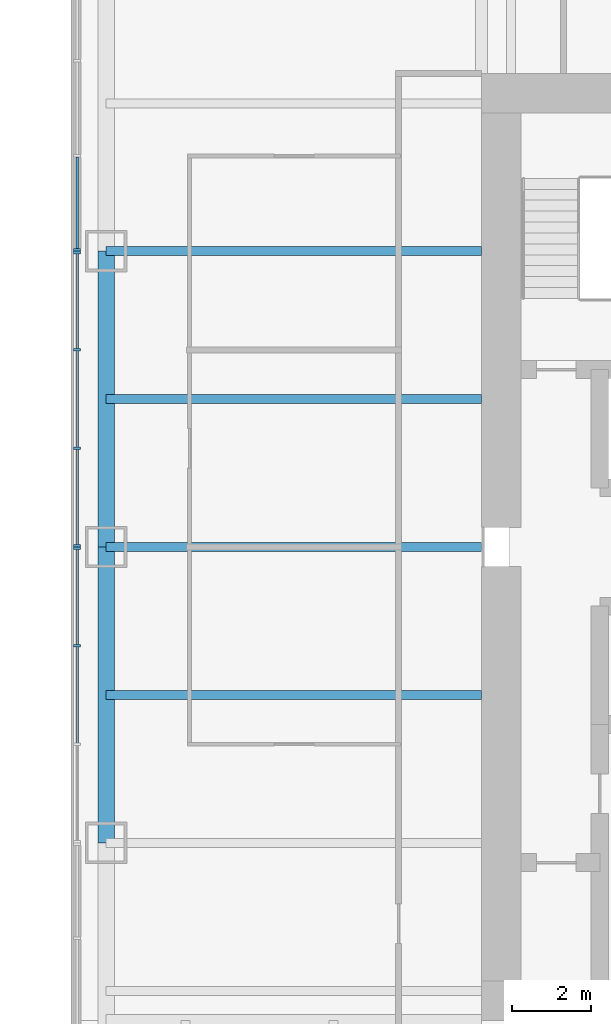
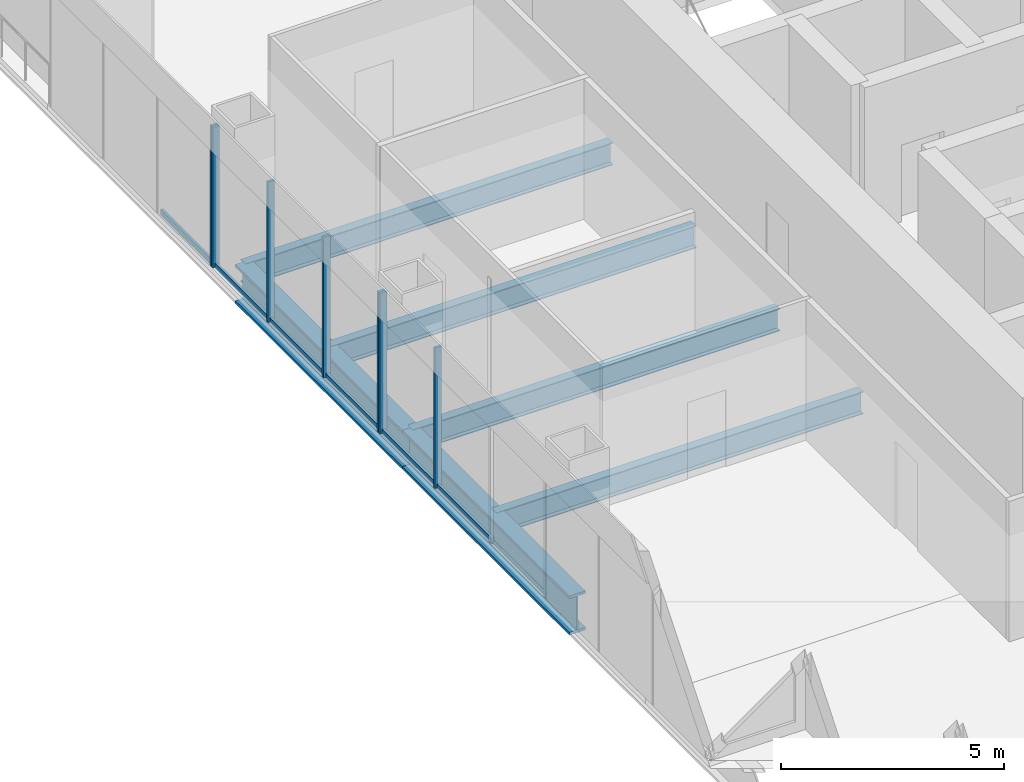
# One storey, part 3 of 13: 13 members, 6 beams, 3 elements without a shape of their own.
"""IFC4 building model written with IfcOpenShell, lengths in metres."""

from ifc_helpers import new_model, si_unit, direction, frame, origin, origin_2d, place, context, subcontext, project, spatial, rectangle, i_section, extrude, material, material_profile, profile_set, type_object, element, aggregate, save


model = new_model("IFC4")

# Units and contexts
model_context = context("Model", 3, precision=1e-05, world=origin(), true_north=direction((0.0, 1.0)))
body_context = subcontext(model_context, "Body", "Model", "MODEL_VIEW")
ifc_project = project(units=[si_unit("LENGTHUNIT", "METRE"), si_unit("AREAUNIT", "SQUARE_METRE"), si_unit("VOLUMEUNIT", "CUBIC_METRE"), si_unit("PLANEANGLEUNIT", "RADIAN"), si_unit("MASSUNIT", "GRAM", prefix="KILO")], contexts=[model_context])

# Site, building, storey
site_placement = place(None, origin())
site = spatial("IfcSite", under=ifc_project, at=site_placement, CompositionType="ELEMENT")
building_placement = place(site_placement, origin())
building = spatial("IfcBuilding", under=site, at=building_placement, Name="Tarangal Relay Tower", CompositionType="ELEMENT")
storey_placement = place(building_placement, frame((0.0, 0.0, 241.89990234375)))
storey = spatial("IfcBuildingStorey", under=building, at=storey_placement, Name="L52", CompositionType="ELEMENT", Elevation=241.89990234375)

# Beams
ifc_material_1 = material(Name="Steel ASTM A992", Category="steel")
ifc_material_profile_1 = material_profile(ifc_material_1, i_section(OverallWidth=0.41650390625, OverallDepth=1.0693359375, WebThickness=0.0390625, FlangeThickness=0.070068359375, at=origin_2d()), Name="W40X503")
ifc_profile_set_1 = profile_set([ifc_material_profile_1], Name="Steel ASTM A992")
beam_type_1 = type_object("IfcBeamType", Name="Edge girder W40X503", PredefinedType="SPANDREL", material=ifc_profile_set_1)
for number, where, z_axis, x_axis, name in (
    (1, (-21.514892578125, -7.5, -0.6845703125), (0.0, 1.0, 0.0), (-1.0, 0.0, 0.0), "Edge girder EG8 W L52"),
    (2, (-21.514892578125, 0.0, -0.6845703125), (0.0, 1.0, 0.0), (-1.0, 0.0, 0.0), "Edge girder EG8 W L52"),
):
    element("IfcBeam", number, at=place(storey_placement, frame(where, z_axis=z_axis, x_axis=x_axis)), inside=storey, type_object=beam_type_1, Name=name, PredefinedType="SPANDREL", context=body_context, shape_type="SweptSolid", body=[
        extrude(i_section(OverallWidth=0.41650390625, OverallDepth=1.0693359375, WebThickness=0.0390625, FlangeThickness=0.070068359375, at=origin_2d()), origin(), (0.0, 0.0, 1.0), 7.5),
    ])
ifc_material_profile_2 = material_profile(ifc_material_1, i_section(OverallWidth=0.22900390625, OverallDepth=0.612060546875, WebThickness=0.011962890625, FlangeThickness=0.01953125, at=origin_2d()), Name="W24X84")
ifc_profile_set_2 = profile_set([ifc_material_profile_2], Name="Steel ASTM A992")
beam_type_2 = type_object("IfcBeamType", Name="Floor beam W24X84", PredefinedType="BEAM", material=ifc_profile_set_2)
for number, where, z_axis, x_axis, name in (
    (3, (-12.0, -3.75, -0.455810546875), (-1.0, 0.0, 0.0), (0.0, -1.0, 0.0), "Floor beam RB12 W L52"),
    (4, (-12.0, 0.0, -0.455810546875), (-1.0, 0.0, 0.0), (0.0, -1.0, 0.0), "Floor beam RB12 W L52"),
    (5, (-12.0, 3.75, -0.455810546875), (-1.0, 0.0, 0.0), (0.0, -1.0, 0.0), "Floor beam RB12 W L52"),
    (6, (-12.0, 7.5, -0.455810546875), (-1.0, 0.0, 0.0), (0.0, -1.0, 0.0), "Floor beam RB12 W L52"),
):
    element("IfcBeam", number, at=place(storey_placement, frame(where, z_axis=z_axis, x_axis=x_axis)), inside=storey, type_object=beam_type_2, Name=name, PredefinedType="BEAM", context=body_context, shape_type="SweptSolid", body=[
        extrude(i_section(OverallWidth=0.22900390625, OverallDepth=0.612060546875, WebThickness=0.011962890625, FlangeThickness=0.01953125, at=origin_2d()), origin(), (0.0, 0.0, 1.0), 9.514892578125),
    ])

# Curtain wall, members
ifc_material_2 = material(Name="Unitised curtain wall, dark glass and black aluminium", Category="aluminium")
curtain_wall_type_1 = type_object("IfcCurtainWallType", Name="Curtain wall CW-A", PredefinedType="USERDEFINED", material=ifc_material_2)
curtain_wall_1_placement = place(storey_placement, origin())
curtain_wall_1 = element("IfcCurtainWall", 7, at=curtain_wall_1_placement, inside=storey, type_object=curtain_wall_type_1, Name="Curtain wall CW-A W facade L52", ObjectType="UNITISED CURTAIN WALL", PredefinedType="USERDEFINED")
ifc_material_3 = material(Name="Black anodised aluminium mullion", Category="aluminium")
ifc_material_profile_3 = material_profile(ifc_material_3, rectangle(XDim=0.175048828125, YDim=0.06494140625, at=origin_2d()), Name="CW-AM 65X175")
ifc_profile_set_3 = profile_set([ifc_material_profile_3], Name="Black anodised aluminium mullion")
member_type_1 = type_object("IfcMemberType", Name="Mullion CW-A 65 x 175", PredefinedType="MULLION", material=ifc_profile_set_3)
member_1_placement = place(storey_placement, frame((-22.25, -2.5, 0.0), z_axis=(0.0, 0.0, 1.0), x_axis=(-1.0, 0.0, 0.0)))
member_1 = element("IfcMember", 8, at=member_1_placement, type_object=member_type_1, Name="CW-A mullion 3", PredefinedType="MULLION", context=body_context, shape_type="SweptSolid", body=[
    extrude(rectangle(XDim=0.175048828125, YDim=0.06494140625, at=origin_2d()), origin(), (0.0, 0.0, 1.0), 3.85009765625),
])
member_2_placement = place(storey_placement, frame((-22.25, -0.032470703125, 0.0), z_axis=(0.0, 0.0, 1.0), x_axis=(-1.0, 0.0, 0.0)))
member_2 = element("IfcMember", 9, at=member_2_placement, type_object=member_type_1, Name="CW-A mullion 4", PredefinedType="MULLION", context=body_context, shape_type="SweptSolid", body=[
    extrude(rectangle(XDim=0.175048828125, YDim=0.06494140625, at=origin_2d()), origin(), (0.0, 0.0, 1.0), 3.85009765625),
])

curtain_wall_2_placement = place(storey_placement, origin())
curtain_wall_2 = element("IfcCurtainWall", 10, at=curtain_wall_2_placement, inside=storey, type_object=curtain_wall_type_1, Name="Curtain wall CW-A W facade L52", ObjectType="UNITISED CURTAIN WALL", PredefinedType="USERDEFINED")
member_3_placement = place(storey_placement, frame((-22.25, 0.032470703125, 0.0), z_axis=(0.0, 0.0, 1.0), x_axis=(-1.0, 0.0, 0.0)))
member_3 = element("IfcMember", 11, at=member_3_placement, type_object=member_type_1, Name="CW-A mullion 1", PredefinedType="MULLION", context=body_context, shape_type="SweptSolid", body=[
    extrude(rectangle(XDim=0.175048828125, YDim=0.06494140625, at=origin_2d()), origin(), (0.0, 0.0, 1.0), 3.85009765625),
])
member_4_placement = place(storey_placement, frame((-22.25, 2.5, 0.0), z_axis=(0.0, 0.0, 1.0), x_axis=(-1.0, 0.0, 0.0)))
member_4 = element("IfcMember", 12, at=member_4_placement, type_object=member_type_1, Name="CW-A mullion 2", PredefinedType="MULLION", context=body_context, shape_type="SweptSolid", body=[
    extrude(rectangle(XDim=0.175048828125, YDim=0.06494140625, at=origin_2d()), origin(), (0.0, 0.0, 1.0), 3.85009765625),
])
member_5_placement = place(storey_placement, frame((-22.25, 5.0, 0.0), z_axis=(0.0, 0.0, 1.0), x_axis=(-1.0, 0.0, 0.0)))
member_5 = element("IfcMember", 13, at=member_5_placement, type_object=member_type_1, Name="CW-A mullion 3", PredefinedType="MULLION", context=body_context, shape_type="SweptSolid", body=[
    extrude(rectangle(XDim=0.175048828125, YDim=0.06494140625, at=origin_2d()), origin(), (0.0, 0.0, 1.0), 3.85009765625),
])
member_6_placement = place(storey_placement, frame((-22.25, 7.467529296875, 0.0), z_axis=(0.0, 0.0, 1.0), x_axis=(-1.0, 0.0, 0.0)))
member_6 = element("IfcMember", 14, at=member_6_placement, type_object=member_type_1, Name="CW-A mullion 4", PredefinedType="MULLION", context=body_context, shape_type="SweptSolid", body=[
    extrude(rectangle(XDim=0.175048828125, YDim=0.06494140625, at=origin_2d()), origin(), (0.0, 0.0, 1.0), 3.85009765625),
])

# Curtain wall, member
ifc_material_4 = material(Name="Unitised curtain wall frame, black aluminium, with metal clad infill walls", Category="aluminium")
curtain_wall_type_2 = type_object("IfcCurtainWallType", Name="Curtain wall CW-AO", PredefinedType="USERDEFINED", material=ifc_material_4)
curtain_wall_3_placement = place(storey_placement, origin())
curtain_wall_3 = element("IfcCurtainWall", 15, at=curtain_wall_3_placement, inside=storey, type_object=curtain_wall_type_2, Name="Curtain wall CW-AO W facade L52", ObjectType="UNITISED CURTAIN WALL", PredefinedType="USERDEFINED")
ifc_material_profile_4 = material_profile(ifc_material_3, rectangle(XDim=0.175048828125, YDim=0.06494140625, at=origin_2d()), Name="CW-AOM 65X175")
ifc_profile_set_4 = profile_set([ifc_material_profile_4], Name="Black anodised aluminium mullion")
member_type_2 = type_object("IfcMemberType", Name="Mullion CW-AO 65 x 175", PredefinedType="MULLION", material=ifc_profile_set_4)
member_7_placement = place(storey_placement, frame((-22.25, 7.532470703125, 0.0), z_axis=(0.0, 0.0, 1.0), x_axis=(-1.0, 0.0, 0.0)))
member_7 = element("IfcMember", 16, at=member_7_placement, type_object=member_type_2, Name="CW-AO mullion 1", PredefinedType="MULLION", context=body_context, shape_type="SweptSolid", body=[
    extrude(rectangle(XDim=0.175048828125, YDim=0.06494140625, at=origin_2d()), origin(), (0.0, 0.0, 1.0), 3.85009765625),
])

# Member
ifc_material_5 = material(Name="Black anodised aluminium transom", Category="aluminium")
ifc_material_profile_5 = material_profile(ifc_material_5, rectangle(XDim=0.06494140625, YDim=0.14990234375, at=origin_2d()), Name="CW-AT 65X150")
ifc_profile_set_5 = profile_set([ifc_material_profile_5], Name="Black anodised aluminium transom")
member_type_3 = type_object("IfcMemberType", Name="Transom CW-A 65 x 150", PredefinedType="USERDEFINED", material=ifc_profile_set_5)
member_8_placement = place(storey_placement, frame((-22.25, -4.967529296875, 0.03271484375), z_axis=(0.0, 1.0, 0.0), x_axis=(-1.0, 0.0, 0.0)))
member_8 = element("IfcMember", 17, at=member_8_placement, type_object=member_type_3, Name="CW-A transom 2.1", ObjectType="TRANSOM", PredefinedType="USERDEFINED", context=body_context, shape_type="SweptSolid", body=[
    extrude(rectangle(XDim=0.06494140625, YDim=0.14990234375, at=origin_2d()), origin(), (0.0, 0.0, 1.0), 2.43505859375),
])

member_9_placement = place(storey_placement, frame((-22.25, -2.467529296875, 0.03271484375), z_axis=(0.0, 1.0, 0.0), x_axis=(-1.0, 0.0, 0.0)))
member_9 = element("IfcMember", 18, at=member_9_placement, type_object=member_type_3, Name="CW-A transom 3.1", ObjectType="TRANSOM", PredefinedType="USERDEFINED", context=body_context, shape_type="SweptSolid", body=[
    extrude(rectangle(XDim=0.06494140625, YDim=0.14990234375, at=origin_2d()), origin(), (0.0, 0.0, 1.0), 2.402587890625),
])

aggregate(curtain_wall_1, [member_1, member_2, member_8, member_9])

member_10_placement = place(storey_placement, frame((-22.25, 0.06494140625, 0.03271484375), z_axis=(0.0, 1.0, 0.0), x_axis=(-1.0, 0.0, 0.0)))
member_10 = element("IfcMember", 19, at=member_10_placement, type_object=member_type_3, Name="CW-A transom 1.1", ObjectType="TRANSOM", PredefinedType="USERDEFINED", context=body_context, shape_type="SweptSolid", body=[
    extrude(rectangle(XDim=0.06494140625, YDim=0.14990234375, at=origin_2d()), origin(), (0.0, 0.0, 1.0), 2.402587890625),
])

member_11_placement = place(storey_placement, frame((-22.25, 2.532470703125, 0.03271484375), z_axis=(0.0, 1.0, 0.0), x_axis=(-1.0, 0.0, 0.0)))
member_11 = element("IfcMember", 20, at=member_11_placement, type_object=member_type_3, Name="CW-A transom 2.1", ObjectType="TRANSOM", PredefinedType="USERDEFINED", context=body_context, shape_type="SweptSolid", body=[
    extrude(rectangle(XDim=0.06494140625, YDim=0.14990234375, at=origin_2d()), origin(), (0.0, 0.0, 1.0), 2.43505859375),
])

member_12_placement = place(storey_placement, frame((-22.25, 5.032470703125, 0.03271484375), z_axis=(0.0, 1.0, 0.0), x_axis=(-1.0, 0.0, 0.0)))
member_12 = element("IfcMember", 21, at=member_12_placement, type_object=member_type_3, Name="CW-A transom 3.1", ObjectType="TRANSOM", PredefinedType="USERDEFINED", context=body_context, shape_type="SweptSolid", body=[
    extrude(rectangle(XDim=0.06494140625, YDim=0.14990234375, at=origin_2d()), origin(), (0.0, 0.0, 1.0), 2.402587890625),
])

aggregate(curtain_wall_2, [member_3, member_4, member_5, member_6, member_10, member_11, member_12])

ifc_material_profile_6 = material_profile(ifc_material_5, rectangle(XDim=0.06494140625, YDim=0.14990234375, at=origin_2d()), Name="CW-AOT 65X150")
ifc_profile_set_6 = profile_set([ifc_material_profile_6], Name="Black anodised aluminium transom")
member_type_4 = type_object("IfcMemberType", Name="Transom CW-AO 65 x 150", PredefinedType="USERDEFINED", material=ifc_profile_set_6)
member_13_placement = place(storey_placement, frame((-22.25, 7.56494140625, 0.03271484375), z_axis=(0.0, 1.0, 0.0), x_axis=(-1.0, 0.0, 0.0)))
member_13 = element("IfcMember", 22, at=member_13_placement, type_object=member_type_4, Name="CW-AO transom 1.1", ObjectType="TRANSOM", PredefinedType="USERDEFINED", context=body_context, shape_type="SweptSolid", body=[
    extrude(rectangle(XDim=0.06494140625, YDim=0.14990234375, at=origin_2d()), origin(), (0.0, 0.0, 1.0), 2.3193359375),
])

aggregate(curtain_wall_3, [member_7, member_13])

save(model, "model.ifc")
